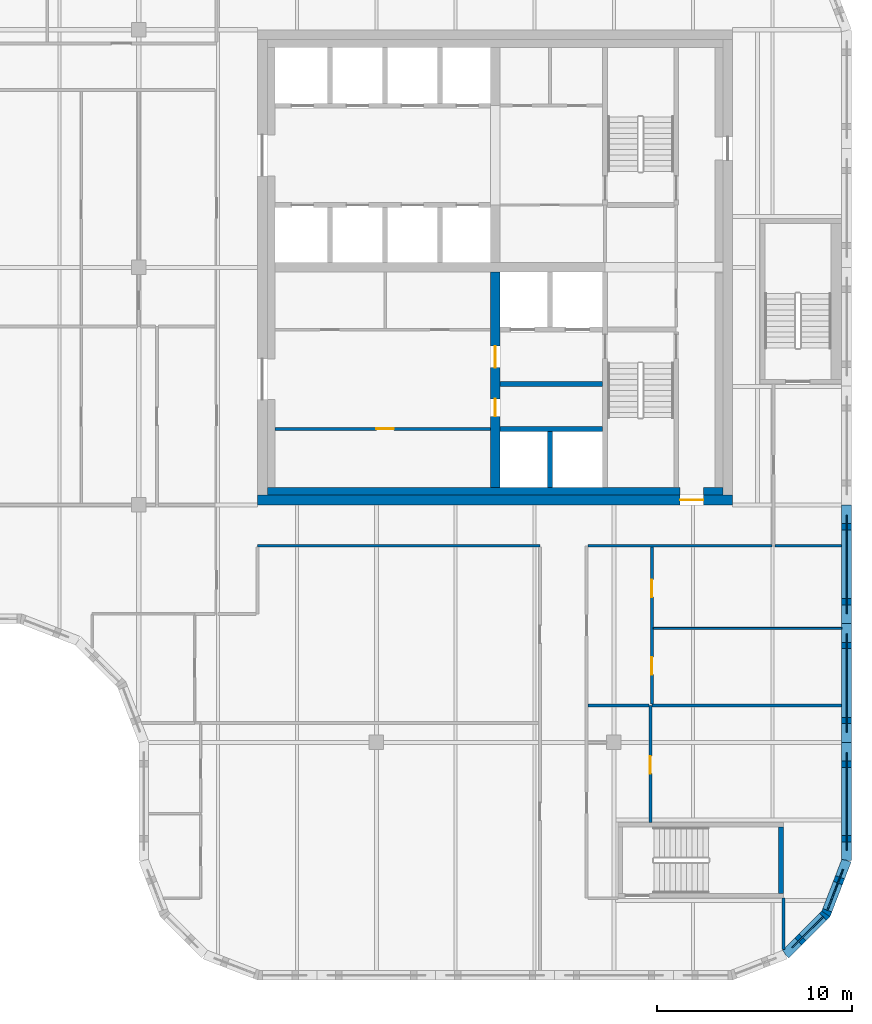
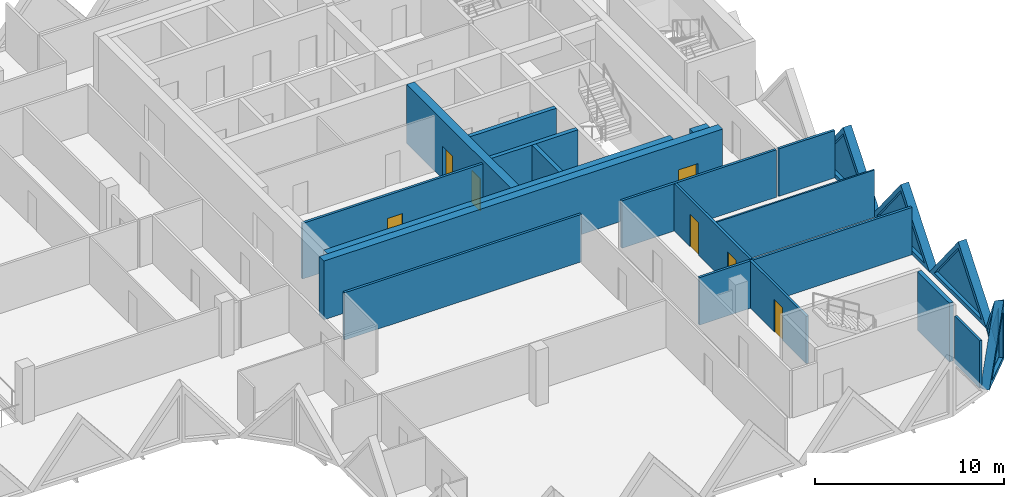
# One storey, part 5 of 11: 23 walls, 7 doors, 5 plates, 12 openings.
"""IFC4 building model written with IfcOpenShell, lengths in metres."""

from ifc_helpers import new_model, si_unit, direction, frame, frame_2d, origin, place, context, subcontext, project, spatial, polyline, rectangle, outline, extrude, faceted_brep, source, transform, mapped, material, layer, layer_set, type_object, element, fill, save


model = new_model("IFC4")

# Units and contexts
model_context = context("Model", 3, precision=1e-05, world=origin(), true_north=direction((0.0, 1.0)))
body_context = subcontext(model_context, "Body", "Model", "MODEL_VIEW")
ifc_project = project(units=[si_unit("LENGTHUNIT", "METRE"), si_unit("AREAUNIT", "SQUARE_METRE"), si_unit("VOLUMEUNIT", "CUBIC_METRE"), si_unit("PLANEANGLEUNIT", "RADIAN"), si_unit("MASSUNIT", "GRAM", prefix="KILO")], contexts=[model_context])

# Site, building, storey
site_placement = place(None, origin())
site = spatial("IfcSite", under=ifc_project, at=site_placement, CompositionType="ELEMENT")
building_placement = place(site_placement, origin())
building = spatial("IfcBuilding", under=site, at=building_placement, Name="Tessera Gate Towers", CompositionType="ELEMENT")
storey_placement = place(building_placement, frame((0.0, 0.0, 197.89990234375)))
storey = spatial("IfcBuildingStorey", under=building, at=storey_placement, Name="L49", CompositionType="ELEMENT", Elevation=197.89990234375)

# Walls
ifc_material_1 = material(Name="Concrete C40/50", Category="concrete")
ifc_layer_1 = layer(ifc_material_1, 0.25)
ifc_layer_set_1 = layer_set([ifc_layer_1], Name="CORE ENCLOSURE WALL 250")
wall_type_1 = type_object("IfcWallType", Name="CORE ENCLOSURE WALL 250", PredefinedType="SOLIDWALL", material=ifc_layer_set_1)
for number, where, z_axis, x_axis, name in (
    (1, (42.949951171875, 28.300048828125, 0.0), (0.0, 0.0, 1.0), (1.0, 0.0, 0.0), "L49 shaft and stair enclosure wall"),
    (2, (42.949951171875, 30.60009765625, 0.0), (0.0, 0.0, 1.0), (1.0, 0.0, 0.0), "L49 shaft and stair enclosure wall"),
):
    element("IfcWall", number, at=place(storey_placement, frame(where, z_axis=z_axis, x_axis=x_axis)), inside=storey, type_object=wall_type_1, Name=name, PredefinedType="SOLIDWALL", context=body_context, shape_type="SweptSolid", body=[
        extrude(rectangle(XDim=5.275146484375, YDim=0.25, at=frame_2d((2.6376953125, 0.0))), origin(), (0.0, 0.0, 1.0), 3.800048828125),
    ])
wall_1_placement = place(storey_placement, frame((45.52490234375, 25.300048828125, 0.0), z_axis=(0.0, 0.0, 1.0), x_axis=(0.0, 1.0, 0.0)))
element("IfcWall", 3, at=wall_1_placement, inside=storey, type_object=wall_type_1, Name="L49 shaft and stair enclosure wall", PredefinedType="SOLIDWALL", context=body_context, shape_type="SweptSolid", body=[
    extrude(rectangle(XDim=2.875, YDim=0.25, at=frame_2d((1.4375, 0.0))), origin(), (0.0, 0.0, 1.0), 3.800048828125),
])
wall_2_placement = place(storey_placement, frame((57.375, 7.85009765625, 0.0), z_axis=(0.0, 0.0, 1.0), x_axis=(0.0, -1.0, 0.0)))
element("IfcWall", 4, at=wall_2_placement, inside=storey, type_object=wall_type_1, Name="L49 ST4 enclosure wall", PredefinedType="SOLIDWALL", context=body_context, shape_type="SweptSolid", body=[
    extrude(rectangle(XDim=3.400146484375, YDim=0.25, at=frame_2d((1.7001953125, 0.0))), origin(), (0.0, 0.0, 1.0), 3.800048828125),
])

# Wall, opening, door
ifc_material_2 = material(Name="Concrete C50/60", Category="concrete")
ifc_layer_2 = layer(ifc_material_2, 0.5)
ifc_layer_set_2 = layer_set([ifc_layer_2], Name="CORE SHEAR WALL 500 C50/60")
wall_type_2 = type_object("IfcWallType", Name="CORE SHEAR WALL 500 C50/60", PredefinedType="SHEAR", material=ifc_layer_set_2)
wall_3_placement = place(storey_placement, frame((54.89990234375, 24.64990234375, 0.0), z_axis=(0.0, 0.0, 1.0), x_axis=(-1.0, 0.0, 0.0)))
wall_3 = element("IfcWall", 5, at=wall_3_placement, inside=storey, type_object=wall_type_2, Name="Core wall S L49", PredefinedType="SHEAR", context=body_context, shape_type="SweptSolid", body=[
    extrude(rectangle(XDim=24.39990234375, YDim=0.5, at=frame_2d((12.199951171875, 0.0))), origin(), (0.0, 0.0, 1.0), 3.800048828125),
])
shared_shape_1 = source(origin(), body_context, "Body", "SweptSolid", [
    extrude(rectangle(XDim=1.199951171875, YDim=2.10009765625, at=frame_2d((0.60009765625, 1.050048828125))), frame((0.0, 0.260009765625, 0.0), z_axis=(0.0, -1.0, 0.0), x_axis=(1.0, 0.0, 0.0)), (0.0, 0.0, 1.0), 0.52001953125),
])
opening_1_placement = place(wall_3_placement, frame((1.5, 0.0, 0.0)))
opening_1 = element("IfcOpeningElement", 6, at=opening_1_placement, cuts=wall_3, Name="Opening ED-T1-31-01", PredefinedType="OPENING", context=body_context, shape_type="MappedRepresentation", body=[
    mapped(shared_shape_1, transform((0.0, 0.0, 0.0), scale=1.0)),
])
ifc_material_3 = material(Name="Hollow steel fire door", Category="steel")
door_type_1 = type_object("IfcDoorType", Name="CORE DOOR ED 1200x2100", OperationType="NOTDEFINED", PredefinedType="DOOR", material=ifc_material_3)
shared_shape_2 = source(origin(), body_context, "Body", "SweptSolid", [
    extrude(rectangle(XDim=1.199951171875, YDim=2.10009765625, at=frame_2d((0.60009765625, 1.050048828125))), frame((0.0, 0.02490234375, 0.0), z_axis=(0.0, -1.0, 0.0), x_axis=(1.0, 0.0, 0.0)), (0.0, 0.0, 1.0), 0.050048828125),
])
door_1_placement = place(opening_1_placement, origin())
door_1 = element("IfcDoor", 7, at=door_1_placement, inside=storey, type_object=door_type_1, Name="Core exit door", OperationType="SINGLE_SWING_LEFT", OverallHeight=2.10009765625, OverallWidth=1.199951171875, PredefinedType="DOOR", context=body_context, shape_type="MappedRepresentation", body=[
    mapped(shared_shape_2, transform((0.0, 0.0, 0.0), scale=1.0)),
])
fill(opening_1, door_1)

# Wall, openings, doors
ifc_material_4 = material(Name="Concrete C50/60", Category="concrete")
ifc_layer_3 = layer(ifc_material_4, 0.5)
ifc_layer_set_3 = layer_set([ifc_layer_3], Name="CORE SPINE WALL 500 C50/60")
wall_type_3 = type_object("IfcWallType", Name="CORE SPINE WALL 500 C50/60", PredefinedType="SHEAR", material=ifc_layer_set_3)
wall_4_placement = place(storey_placement, frame((42.699951171875, 36.35009765625, 0.0), z_axis=(0.0, 0.0, 1.0), x_axis=(0.0, -1.0, 0.0)))
wall_4 = element("IfcWall", 8, at=wall_4_placement, inside=storey, type_object=wall_type_3, Name="Core wall spine L49", PredefinedType="SHEAR", context=body_context, shape_type="SweptSolid", body=[
    extrude(rectangle(XDim=11.050048828125, YDim=0.5, at=frame_2d((5.52490234375, 0.0))), origin(), (0.0, 0.0, 1.0), 3.800048828125),
])
shared_shape_3 = source(origin(), body_context, "Body", "SweptSolid", [
    extrude(rectangle(XDim=0.89990234375, YDim=2.10009765625, at=frame_2d((0.449951171875, 1.050048828125))), frame((0.0, 0.260009765625, 0.0), z_axis=(0.0, -1.0, 0.0), x_axis=(1.0, 0.0, 0.0)), (0.0, 0.0, 1.0), 0.52001953125),
])
opening_2_placement = place(wall_4_placement, frame((6.5, 0.0, 0.0)))
opening_2 = element("IfcOpeningElement", 9, at=opening_2_placement, cuts=wall_4, Name="Opening RD-T1-31-05", PredefinedType="OPENING", context=body_context, shape_type="MappedRepresentation", body=[
    mapped(shared_shape_3, transform((0.0, 0.0, 0.0), scale=1.0)),
])
shared_shape_4 = source(origin(), body_context, "Body", "SweptSolid", [
    extrude(rectangle(XDim=1.10009765625, YDim=2.10009765625, at=frame_2d((0.550048828125, 1.050048828125))), frame((0.0, 0.260009765625, 0.0), z_axis=(0.0, -1.0, 0.0), x_axis=(1.0, 0.0, 0.0)), (0.0, 0.0, 1.0), 0.52001953125),
])
opening_3_placement = place(wall_4_placement, frame((3.800048828125, 0.0, 0.0)))
opening_3 = element("IfcOpeningElement", 10, at=opening_3_placement, cuts=wall_4, Name="Opening FD-T1-31-06", PredefinedType="OPENING", context=body_context, shape_type="MappedRepresentation", body=[
    mapped(shared_shape_4, transform((0.0, 0.0, 0.0), scale=1.0)),
])
ifc_material_5 = material(Name="Hollow steel fire door", Category="steel")
door_type_2 = type_object("IfcDoorType", Name="CORE DOOR RD 900x2100", OperationType="NOTDEFINED", PredefinedType="DOOR", material=ifc_material_5)
shared_shape_5 = source(origin(), body_context, "Body", "SweptSolid", [
    extrude(rectangle(XDim=0.89990234375, YDim=2.10009765625, at=frame_2d((0.449951171875, 1.050048828125))), frame((0.0, 0.02490234375, 0.0), z_axis=(0.0, -1.0, 0.0), x_axis=(1.0, 0.0, 0.0)), (0.0, 0.0, 1.0), 0.050048828125),
])
door_2_placement = place(opening_2_placement, origin())
door_2 = element("IfcDoor", 11, at=door_2_placement, inside=storey, type_object=door_type_2, Name="Core room door", OperationType="SINGLE_SWING_RIGHT", OverallHeight=2.10009765625, OverallWidth=0.89990234375, PredefinedType="DOOR", context=body_context, shape_type="MappedRepresentation", body=[
    mapped(shared_shape_5, transform((0.0, 0.0, 0.0), scale=1.0)),
])
fill(opening_2, door_2)
ifc_material_6 = material(Name="Hollow steel fire door", Category="steel")
door_type_3 = type_object("IfcDoorType", Name="CORE DOOR FD 1100x2100", OperationType="NOTDEFINED", PredefinedType="DOOR", material=ifc_material_6)
shared_shape_6 = source(origin(), body_context, "Body", "SweptSolid", [
    extrude(rectangle(XDim=1.10009765625, YDim=2.10009765625, at=frame_2d((0.550048828125, 1.050048828125))), frame((0.0, 0.02490234375, 0.0), z_axis=(0.0, -1.0, 0.0), x_axis=(1.0, 0.0, 0.0)), (0.0, 0.0, 1.0), 0.050048828125),
])
door_3_placement = place(opening_3_placement, origin())
door_3 = element("IfcDoor", 12, at=door_3_placement, inside=storey, type_object=door_type_3, Name="Fire-fighting lobby door", OperationType="SINGLE_SWING_LEFT", OverallHeight=2.10009765625, OverallWidth=1.10009765625, PredefinedType="DOOR", context=body_context, shape_type="MappedRepresentation", body=[
    mapped(shared_shape_6, transform((0.0, 0.0, 0.0), scale=1.0)),
])
fill(opening_3, door_3)

# Walls
ifc_material_7 = material(Name="Concrete C50/60", Category="concrete")
ifc_layer_4 = layer(ifc_material_7, 0.39990234375)
ifc_layer_set_4 = layer_set([ifc_layer_4], Name="CORE WALL THICKENING 400")
wall_type_4 = type_object("IfcWallType", Name="CORE WALL THICKENING 400", PredefinedType="SOLIDWALL", material=ifc_layer_set_4)
wall_5_placement = place(storey_placement, frame((31.0, 25.10009765625, 0.0), z_axis=(0.0, 0.0, 1.0), x_axis=(1.0, 0.0, 0.0)))
element("IfcWall", 13, at=wall_5_placement, inside=storey, type_object=wall_type_4, Name="Core wall thickening S L49", PredefinedType="SOLIDWALL", context=body_context, shape_type="SweptSolid", body=[
    extrude(rectangle(XDim=21.199951171875, YDim=0.39990234375, at=frame_2d((10.60009765625, 0.0))), origin(), (0.0, 0.0, 1.0), 3.800048828125),
])
wall_6_placement = place(storey_placement, frame((53.39990234375, 25.10009765625, 0.0), z_axis=(0.0, 0.0, 1.0), x_axis=(1.0, 0.0, 0.0)))
element("IfcWall", 14, at=wall_6_placement, inside=storey, type_object=wall_type_4, Name="Core wall thickening S L49", PredefinedType="SOLIDWALL", context=body_context, shape_type="SweptSolid", body=[
    extrude(rectangle(XDim=1.0, YDim=0.39990234375, at=frame_2d((0.5, 0.0))), origin(), (0.0, 0.0, 1.0), 3.800048828125),
])
ifc_material_8 = material(Name="Gypsum board on steel studs, mineral wool", Category="steel")
ifc_layer_5 = layer(ifc_material_8, 0.14990234375)
ifc_layer_set_5 = layer_set([ifc_layer_5], Name="CORRIDOR WALL 150")
wall_type_5 = type_object("IfcWallType", Name="CORRIDOR WALL 150", PredefinedType="PARTITIONING", material=ifc_layer_set_5)
wall_7_placement = place(storey_placement, frame((57.5, 1.55908203125, 0.0), z_axis=(0.0, 0.0, 1.0), x_axis=(0.0, 1.0, 0.0)))
element("IfcWall", 15, at=wall_7_placement, inside=storey, type_object=wall_type_5, Name="T1-L49-PW-002", PredefinedType="PARTITIONING", context=body_context, shape_type="SweptSolid", body=[
    extrude(rectangle(XDim=2.640869140625, YDim=0.14990234375, at=frame_2d((1.3203125, 0.0))), origin(), (0.0, 0.0, 1.0), 3.067138671875),
])
wall_8_placement = place(storey_placement, frame((30.5, 22.300048828125, 0.0), z_axis=(0.0, 0.0, 1.0), x_axis=(1.0, 0.0, 0.0)))
element("IfcWall", 16, at=wall_8_placement, inside=storey, type_object=wall_type_5, Name="T1-L49-PW-026", PredefinedType="PARTITIONING", context=body_context, shape_type="SweptSolid", body=[
    extrude(rectangle(XDim=14.5, YDim=0.14990234375, at=frame_2d((7.25, 0.0))), origin(), (0.0, 0.0, 1.0), 3.067138671875),
])
wall_9_placement = place(storey_placement, frame((47.47607421875, 22.300048828125, 0.0), z_axis=(0.0, 0.0, 1.0), x_axis=(1.0, 0.0, 0.0)))
element("IfcWall", 17, at=wall_9_placement, inside=storey, type_object=wall_type_5, Name="T1-L49-PW-027", PredefinedType="PARTITIONING", context=body_context, shape_type="SweptSolid", body=[
    extrude(rectangle(XDim=9.447998046875, YDim=0.14990234375, at=frame_2d((4.72412109375, 0.0))), origin(), (0.0, 0.0, 1.0), 3.067138671875),
])
ifc_material_9 = material(Name="Gypsum board on steel studs", Category="steel")
ifc_layer_6 = layer(ifc_material_9, 0.10009765625)
ifc_layer_set_6 = layer_set([ifc_layer_6], Name="PARTITION 100")
wall_type_6 = type_object("IfcWallType", Name="PARTITION 100", PredefinedType="PARTITIONING", material=ifc_layer_set_6)
wall_10_placement = place(storey_placement, frame((50.825927734375, 18.06103515625, 0.0), z_axis=(0.0, 0.0, 1.0), x_axis=(1.0, 0.0, 0.0)))
element("IfcWall", 18, at=wall_10_placement, inside=storey, type_object=wall_type_6, Name="T1-L49-PW-019", PredefinedType="PARTITIONING", context=body_context, shape_type="SweptSolid", body=[
    extrude(rectangle(XDim=9.674072265625, YDim=0.10009765625, at=frame_2d((4.8369140625, 0.0))), origin(), (0.0, 0.0, 1.0), 3.067138671875),
])

# Wall, opening, door
ifc_material_10 = material(Name="Gypsum board on steel studs", Category="steel")
ifc_layer_7 = layer(ifc_material_10, 0.14990234375)
ifc_layer_set_7 = layer_set([ifc_layer_7], Name="SERVICE ROOM WALL 150")
wall_type_7 = type_object("IfcWallType", Name="SERVICE ROOM WALL 150", PredefinedType="PARTITIONING", material=ifc_layer_set_7)
wall_11_placement = place(storey_placement, frame((42.449951171875, 28.300048828125, 0.0), z_axis=(0.0, 0.0, 1.0), x_axis=(-1.0, 0.0, 0.0)))
wall_11 = element("IfcWall", 19, at=wall_11_placement, inside=storey, type_object=wall_type_7, Name="L49 service room wall", PredefinedType="PARTITIONING", context=body_context, shape_type="SweptSolid", body=[
    extrude(rectangle(XDim=11.050048828125, YDim=0.14990234375, at=frame_2d((5.52490234375, 0.0))), origin(), (0.0, 0.0, 1.0), 3.60009765625),
])
shared_shape_7 = source(origin(), body_context, "Body", "SweptSolid", [
    extrude(rectangle(XDim=0.89990234375, YDim=2.10009765625, at=frame_2d((0.449951171875, 1.050048828125))), frame((0.0, 0.0849609375, 0.0), z_axis=(0.0, -1.0, 0.0), x_axis=(1.0, 0.0, 0.0)), (0.0, 0.0, 1.0), 0.169921875),
])
opening_4_placement = place(wall_11_placement, frame((4.949951171875, 0.0, 0.0)))
opening_4 = element("IfcOpeningElement", 20, at=opening_4_placement, cuts=wall_11, Name="Opening RD-T1-31-07", PredefinedType="OPENING", context=body_context, shape_type="MappedRepresentation", body=[
    mapped(shared_shape_7, transform((0.0, 0.0, 0.0), scale=1.0)),
])
door_4_placement = place(opening_4_placement, origin())
door_4 = element("IfcDoor", 21, at=door_4_placement, inside=storey, type_object=door_type_2, Name="Core room door", OperationType="SINGLE_SWING_LEFT", OverallHeight=2.10009765625, OverallWidth=0.89990234375, PredefinedType="DOOR", context=body_context, shape_type="MappedRepresentation", body=[
    mapped(shared_shape_5, transform((0.0, 0.0, 0.0), scale=1.0)),
])
fill(opening_4, door_4)

ifc_material_11 = material(Name="Gypsum board on steel studs, mineral wool", Category="steel")
ifc_layer_8 = layer(ifc_material_11, 0.14990234375)
ifc_layer_set_8 = layer_set([ifc_layer_8], Name="TENANCY WALL 150")
wall_type_8 = type_object("IfcWallType", Name="TENANCY WALL 150", PredefinedType="PARTITIONING", material=ifc_layer_set_8)
wall_12_placement = place(storey_placement, frame((50.675048828125, 14.10009765625, 0.0), z_axis=(0.0, 0.0, 1.0), x_axis=(0.0, -1.0, 0.0)))
wall_12 = element("IfcWall", 22, at=wall_12_placement, inside=storey, type_object=wall_type_8, Name="T1-L49-PW-007", PredefinedType="PARTITIONING", context=body_context, shape_type="SweptSolid", body=[
    extrude(rectangle(XDim=6.0, YDim=0.14990234375, at=frame_2d((3.0, 0.0))), origin(), (0.0, 0.0, 1.0), 3.067138671875),
])
opening_5_placement = place(wall_12_placement, frame((2.60009765625, 0.0, 0.0)))
opening_5 = element("IfcOpeningElement", 23, at=opening_5_placement, cuts=wall_12, Name="Opening D190-A18-04", PredefinedType="OPENING", context=body_context, shape_type="MappedRepresentation", body=[
    mapped(shared_shape_7, transform((0.0, 0.0, 0.0), scale=1.0)),
])
ifc_material_12 = material(Name="Timber door leaf in steel frame", Category="steel")
door_type_4 = type_object("IfcDoorType", Name="INTERNAL DOOR 900 NOT RATED", OperationType="NOTDEFINED", PredefinedType="DOOR", material=ifc_material_12)
door_5_placement = place(opening_5_placement, origin())
door_5 = element("IfcDoor", 24, at=door_5_placement, inside=storey, type_object=door_type_4, Name="T1-L49-PD-009", OperationType="SINGLE_SWING_RIGHT", OverallHeight=2.10009765625, OverallWidth=0.89990234375, PredefinedType="DOOR", context=body_context, shape_type="MappedRepresentation", body=[
    mapped(shared_shape_5, transform((0.0, 0.0, 0.0), scale=1.0)),
])
fill(opening_5, door_5)

# Walls
wall_13_placement = place(storey_placement, frame((47.47607421875, 14.10009765625, 0.0), z_axis=(0.0, 0.0, 1.0), x_axis=(1.0, 0.0, 0.0)))
element("IfcWall", 25, at=wall_13_placement, inside=storey, type_object=wall_type_8, Name="T1-L49-PW-015", PredefinedType="PARTITIONING", context=body_context, shape_type="SweptSolid", body=[
    extrude(rectangle(XDim=3.123046875, YDim=0.14990234375, at=frame_2d((1.5615234375, 0.0))), origin(), (0.0, 0.0, 1.0), 3.067138671875),
])
wall_14_placement = place(storey_placement, frame((50.75, 14.10009765625, 0.0), z_axis=(0.0, 0.0, 1.0), x_axis=(1.0, 0.0, 0.0)))
element("IfcWall", 26, at=wall_14_placement, inside=storey, type_object=wall_type_8, Name="T1-L49-PW-016", PredefinedType="PARTITIONING", context=body_context, shape_type="SweptSolid", body=[
    extrude(rectangle(XDim=9.75, YDim=0.14990234375, at=frame_2d((4.875, 0.0))), origin(), (0.0, 0.0, 1.0), 3.067138671875),
])

# Wall, openings, doors
wall_15_placement = place(storey_placement, frame((50.75, 22.22412109375, 0.0), z_axis=(0.0, 0.0, 1.0), x_axis=(0.0, -1.0, 0.0)))
wall_15 = element("IfcWall", 27, at=wall_15_placement, inside=storey, type_object=wall_type_8, Name="T1-L49-PW-017", PredefinedType="PARTITIONING", context=body_context, shape_type="SweptSolid", body=[
    extrude(rectangle(XDim=8.048095703125, YDim=0.14990234375, at=frame_2d((4.02392578125, 0.0))), origin(), (0.0, 0.0, 1.0), 3.067138671875),
])
opening_6_placement = place(wall_15_placement, frame((5.64794921875, 0.0, 0.0)))
opening_6 = element("IfcOpeningElement", 28, at=opening_6_placement, cuts=wall_15, Name="Opening D190-A18-01", PredefinedType="OPENING", context=body_context, shape_type="MappedRepresentation", body=[
    mapped(shared_shape_7, transform((0.0, 0.0, 0.0), scale=1.0)),
])
opening_7_placement = place(wall_15_placement, frame((1.66259765625, 0.0, 0.0)))
opening_7 = element("IfcOpeningElement", 29, at=opening_7_placement, cuts=wall_15, Name="Opening D190-A18-02", PredefinedType="OPENING", context=body_context, shape_type="MappedRepresentation", body=[
    mapped(shared_shape_7, transform((0.0, 0.0, 0.0), scale=1.0)),
])
door_6_placement = place(opening_6_placement, origin())
door_6 = element("IfcDoor", 30, at=door_6_placement, inside=storey, type_object=door_type_4, Name="T1-L49-PD-002", OperationType="SINGLE_SWING_RIGHT", OverallHeight=2.10009765625, OverallWidth=0.89990234375, PredefinedType="DOOR", context=body_context, shape_type="MappedRepresentation", body=[
    mapped(shared_shape_5, transform((0.0, 0.0, 0.0), scale=1.0)),
])
fill(opening_6, door_6)
door_7_placement = place(opening_7_placement, origin())
door_7 = element("IfcDoor", 31, at=door_7_placement, inside=storey, type_object=door_type_4, Name="T1-L49-PD-003", OperationType="SINGLE_SWING_RIGHT", OverallHeight=2.10009765625, OverallWidth=0.89990234375, PredefinedType="DOOR", context=body_context, shape_type="MappedRepresentation", body=[
    mapped(shared_shape_5, transform((0.0, 0.0, 0.0), scale=1.0)),
])
fill(opening_7, door_7)

# Wall
wall_16_placement = place(storey_placement, frame((57.075927734375, 22.300048828125, 0.0), z_axis=(0.0, 0.0, 1.0), x_axis=(1.0, 0.0, 0.0)))
element("IfcWall", 32, at=wall_16_placement, inside=storey, type_object=wall_type_8, Name="T1-L49-PW-029", PredefinedType="PARTITIONING", context=body_context, shape_type="SweptSolid", body=[
    extrude(rectangle(XDim=3.424072265625, YDim=0.14990234375, at=frame_2d((1.7119140625, 0.0))), origin(), (0.0, 0.0, 1.0), 3.067138671875),
])

# Wall, opening, plate
ifc_material_13 = material(Name="Precast concrete C60/75 white", Category="concrete")
ifc_layer_9 = layer(ifc_material_13, 0.5)
ifc_layer_set_9 = layer_set([ifc_layer_9], Name="TS2 half tessera")
wall_type_9 = type_object("IfcWallType", Name="TS2 half tessera", PredefinedType="SOLIDWALL", material=ifc_layer_set_9)
shared_shape_8 = source(origin(), body_context, "Body", "Brep", [
    faceted_brep([(6.099853515625, -0.25, 0.000244140625), (3.050048828125, -0.25, 3.800048828125), (0.0, -0.25, 0.0), (6.099853515625, -0.25, 0.0), (0.0, 0.25, 0.0), (3.050048828125, 0.25, 3.800048828125), (6.099853515625, 0.25, 0.000244140625), (6.099853515625, 0.25, 0.0)], [[[0, 1, 2, 3]], [[4, 5, 6, 7]], [[6, 5, 1, 0]], [[5, 4, 2, 1]], [[4, 7, 3, 2]], [[3, 7, 6, 0]]]),
])
wall_17_placement = place(storey_placement, frame((60.75, 18.300048828125, 0.0), z_axis=(0.0, 0.0, 1.0), x_axis=(0.0, 1.0, 0.0)))
wall_17 = element("IfcWall", 33, at=wall_17_placement, inside=storey, type_object=wall_type_9, Name="Precast half tessera T1 TS2-0235", PredefinedType="SOLIDWALL", context=body_context, shape_type="MappedRepresentation", body=[
    mapped(shared_shape_8, transform((0.0, 0.0, 0.0), scale=1.0)),
])
shared_shape_9 = source(origin(), body_context, "Body", "SweptSolid", [
    extrude(outline(polyline([(5.578857421875, 0.25), (3.050048828125, 3.400634765625), (0.521240234375, 0.25), (5.578857421875, 0.25)])), frame((0.0, 0.260009765625, 0.0), z_axis=(0.0, -1.0, 0.0), x_axis=(1.0, 0.0, 0.0)), (0.0, 0.0, 1.0), 0.52001953125),
])
opening_8_placement = place(wall_17_placement, origin())
opening_8 = element("IfcOpeningElement", 34, at=opening_8_placement, cuts=wall_17, Name="Opening T1-PL1-0481", PredefinedType="OPENING", context=body_context, shape_type="MappedRepresentation", body=[
    mapped(shared_shape_9, transform((0.0, 0.0, 0.0), scale=1.0)),
])
ifc_material_14 = material(Name="Low-e laminated glass", Category="glass")
ifc_layer_10 = layer(ifc_material_14, 0.06005859375)
ifc_layer_set_10 = layer_set([ifc_layer_10], Name="PL1 triangular pane")
plate_type = type_object("IfcPlateType", Name="PL1 triangular pane", PredefinedType="SHEET", material=ifc_layer_set_10)
shared_shape_10 = source(origin(), body_context, "Body", "SweptSolid", [
    extrude(outline(polyline([(5.578857421875, 0.25), (3.050048828125, 3.400634765625), (0.521240234375, 0.25), (5.578857421875, 0.25)])), frame((0.0, 0.030029296875, 0.0), z_axis=(0.0, -1.0, 0.0), x_axis=(1.0, 0.0, 0.0)), (0.0, 0.0, 1.0), 0.06005859375),
])
plate_1_placement = place(opening_8_placement, origin())
plate_1 = element("IfcPlate", 35, at=plate_1_placement, inside=storey, type_object=plate_type, Name="Glass pane T1 PL1-0481", PredefinedType="SHEET", context=body_context, shape_type="MappedRepresentation", body=[
    mapped(shared_shape_10, transform((0.0, 0.0, 0.0), scale=1.0)),
])
fill(opening_8, plate_1)

shared_shape_11 = source(origin(), body_context, "Body", "SweptSolid", [
    extrude(outline(polyline([(6.10009765625, 0.0), (3.050048828125, 3.800048828125), (0.0, 0.0), (6.10009765625, 0.0)])), frame((0.0, 0.25, 0.0), z_axis=(0.0, -1.0, 0.0), x_axis=(1.0, 0.0, 0.0)), (0.0, 0.0, 1.0), 0.5),
])
wall_18_placement = place(storey_placement, frame((60.75, 12.199951171875, 0.0), z_axis=(0.0, 0.0, 1.0), x_axis=(0.0, 1.0, 0.0)))
wall_18 = element("IfcWall", 36, at=wall_18_placement, inside=storey, type_object=wall_type_9, Name="Precast half tessera T1 TS2-0234", PredefinedType="SOLIDWALL", context=body_context, shape_type="MappedRepresentation", body=[
    mapped(shared_shape_11, transform((0.0, 0.0, 0.0), scale=1.0)),
])
opening_9_placement = place(wall_18_placement, origin())
opening_9 = element("IfcOpeningElement", 37, at=opening_9_placement, cuts=wall_18, Name="Opening T1-PL1-0480", PredefinedType="OPENING", context=body_context, shape_type="MappedRepresentation", body=[
    mapped(shared_shape_9, transform((0.0, 0.0, 0.0), scale=1.0)),
])
plate_2_placement = place(opening_9_placement, origin())
plate_2 = element("IfcPlate", 38, at=plate_2_placement, inside=storey, type_object=plate_type, Name="Glass pane T1 PL1-0480", PredefinedType="SHEET", context=body_context, shape_type="MappedRepresentation", body=[
    mapped(shared_shape_10, transform((0.0, 0.0, 0.0), scale=1.0)),
])
fill(opening_9, plate_2)

ifc_material_15 = material(Name="Precast concrete C60/75 white", Category="concrete")
ifc_layer_11 = layer(ifc_material_15, 0.5)
ifc_layer_set_11 = layer_set([ifc_layer_11], Name="TS3 corner tessera")
wall_type_10 = type_object("IfcWallType", Name="TS3 corner tessera", PredefinedType="SOLIDWALL", material=ifc_layer_set_11)
shared_shape_12 = source(origin(), body_context, "Body", "Brep", [
    faceted_brep([(2.9970703125, -0.25, 3.73193359375), (2.944091796875, -0.25, 3.800048828125), (0.0, -0.25, 0.0), (2.9970703125, -0.25, 0.0), (0.052978515625, 0.25, 0.068359375), (2.89111328125, 0.25, 3.73193359375), (2.89111328125, 0.25, 0.0), (0.052978515625, 0.25, 0.0), (2.944091796875, 0.000244140625, 3.800048828125), (0.0, 0.0, 0.0)], [[[0, 1, 2, 3]], [[4, 5, 6, 7]], [[8, 1, 0]], [[5, 4, 9, 2, 1, 8]], [[7, 6, 3, 2, 9]], [[7, 9, 4]], [[3, 6, 5, 8, 0]]]),
])
wall_19_placement = place(storey_placement, frame((57.606201171875, 1.31201171875, 0.0), z_axis=(0.0, 0.0, 1.0), x_axis=(0.707147509625, 0.707066050402, 0.0)))
wall_19 = element("IfcWall", 39, at=wall_19_placement, inside=storey, type_object=wall_type_10, Name="Precast corner tessera T1 TS3-1133", PredefinedType="SOLIDWALL", context=body_context, shape_type="MappedRepresentation", body=[
    mapped(shared_shape_12, transform((0.0, 0.0, 0.0), scale=1.0)),
])
shared_shape_13 = source(origin(), body_context, "Body", "SweptSolid", [
    extrude(outline(polyline([(2.744140625, 3.1337890625), (0.510009765625, 0.25), (2.744140625, 0.25), (2.744140625, 3.1337890625)])), frame((0.0, 0.260009765625, 0.0), z_axis=(0.0, -1.0, 0.0), x_axis=(1.0, 0.0, 0.0)), (0.0, 0.0, 1.0), 0.52001953125),
])
opening_10_placement = place(wall_19_placement, origin())
opening_10 = element("IfcOpeningElement", 40, at=opening_10_placement, cuts=wall_19, Name="Opening T1-PL1-0477", PredefinedType="OPENING", context=body_context, shape_type="MappedRepresentation", body=[
    mapped(shared_shape_13, transform((0.0, 0.0, 0.0), scale=1.0)),
])
shared_shape_14 = source(origin(), body_context, "Body", "SweptSolid", [
    extrude(outline(polyline([(2.744140625, 3.1337890625), (0.510009765625, 0.25), (2.744140625, 0.25), (2.744140625, 3.1337890625)])), frame((0.0, 0.030029296875, 0.0), z_axis=(0.0, -1.0, 0.0), x_axis=(1.0, 0.0, 0.0)), (0.0, 0.0, 1.0), 0.06005859375),
])
plate_3_placement = place(opening_10_placement, origin())
plate_3 = element("IfcPlate", 41, at=plate_3_placement, inside=storey, type_object=plate_type, Name="Glass pane T1 PL1-0477", PredefinedType="SHEET", context=body_context, shape_type="MappedRepresentation", body=[
    mapped(shared_shape_14, transform((0.0, 0.0, 0.0), scale=1.0)),
])
fill(opening_10, plate_3)

shared_shape_15 = source(origin(), body_context, "Body", "Brep", [
    faceted_brep([(3.00341796875, -0.25, 0.0), (0.052978515625, -0.25, 3.800048828125), (0.0, -0.25, 3.731689453125), (0.0, -0.25, 0.0), (0.10595703125, 0.25, 3.73193359375), (2.95703125, 0.25, 0.059814453125), (2.95703125, 0.25, 0.0), (0.10595703125, 0.25, 0.0), (0.052978515625, 0.0, 3.800048828125), (3.00341796875, 0.00048828125, 0.0)], [[[0, 1, 2, 3]], [[4, 5, 6, 7]], [[5, 4, 8, 1, 0, 9]], [[2, 1, 8]], [[7, 6, 9, 0, 3]], [[7, 3, 2, 8, 4]], [[9, 6, 5]]]),
])
wall_20_placement = place(storey_placement, frame((59.6689453125, 3.34423828125, 0.0), z_axis=(0.0, 0.0, 1.0), x_axis=(0.35992665181, 0.932980602862, 0.0)))
wall_20 = element("IfcWall", 42, at=wall_20_placement, inside=storey, type_object=wall_type_10, Name="Precast corner tessera T1 TS3-1134", PredefinedType="SOLIDWALL", context=body_context, shape_type="MappedRepresentation", body=[
    mapped(shared_shape_15, transform((0.0, 0.0, 0.0), scale=1.0)),
])
shared_shape_16 = source(origin(), body_context, "Body", "SweptSolid", [
    extrude(outline(polyline([(2.492919921875, 0.25), (0.2529296875, 3.134765625), (0.2529296875, 0.25), (2.492919921875, 0.25)])), frame((0.0, 0.260009765625, 0.0), z_axis=(0.0, -1.0, 0.0), x_axis=(1.0, 0.0, 0.0)), (0.0, 0.0, 1.0), 0.52001953125),
])
opening_11_placement = place(wall_20_placement, origin())
opening_11 = element("IfcOpeningElement", 43, at=opening_11_placement, cuts=wall_20, Name="Opening T1-PL1-0478", PredefinedType="OPENING", context=body_context, shape_type="MappedRepresentation", body=[
    mapped(shared_shape_16, transform((0.0, 0.0, 0.0), scale=1.0)),
])
shared_shape_17 = source(origin(), body_context, "Body", "SweptSolid", [
    extrude(outline(polyline([(2.492919921875, 0.25), (0.2529296875, 3.134765625), (0.2529296875, 0.25), (2.492919921875, 0.25)])), frame((0.0, 0.030029296875, 0.0), z_axis=(0.0, -1.0, 0.0), x_axis=(1.0, 0.0, 0.0)), (0.0, 0.0, 1.0), 0.06005859375),
])
plate_4_placement = place(opening_11_placement, origin())
plate_4 = element("IfcPlate", 44, at=plate_4_placement, inside=storey, type_object=plate_type, Name="Glass pane T1 PL1-0478", PredefinedType="SHEET", context=body_context, shape_type="MappedRepresentation", body=[
    mapped(shared_shape_17, transform((0.0, 0.0, 0.0), scale=1.0)),
])
fill(opening_11, plate_4)

shared_shape_18 = source(origin(), body_context, "Body", "Brep", [
    faceted_brep([(6.053466796875, -0.25, 0.0), (3.00341796875, -0.25, 3.800048828125), (0.0, -0.25, 0.0), (0.046630859375, 0.25, 0.058837890625), (3.00341796875, 0.25, 3.800048828125), (6.053466796875, 0.25, 0.0), (0.046630859375, 0.25, 0.0), (0.0, 0.0, 0.0)], [[[0, 1, 2]], [[3, 4, 5, 6]], [[5, 4, 1, 0]], [[4, 3, 7, 2, 1]], [[6, 5, 0, 2, 7]], [[6, 7, 3]]]),
])
wall_21_placement = place(storey_placement, frame((60.75, 6.146484375, 0.0), z_axis=(0.0, 0.0, 1.0), x_axis=(0.0, 1.0, 0.0)))
wall_21 = element("IfcWall", 45, at=wall_21_placement, inside=storey, type_object=wall_type_9, Name="Precast half tessera T1 TS2-0233", PredefinedType="SOLIDWALL", context=body_context, shape_type="MappedRepresentation", body=[
    mapped(shared_shape_18, transform((0.0, 0.0, 0.0), scale=1.0)),
])
shared_shape_19 = source(origin(), body_context, "Body", "SweptSolid", [
    extrude(outline(polyline([(5.5322265625, 0.25), (3.0048828125, 3.39892578125), (0.516357421875, 0.25), (5.5322265625, 0.25)])), frame((0.0, 0.260009765625, 0.0), z_axis=(0.0, -1.0, 0.0), x_axis=(1.0, 0.0, 0.0)), (0.0, 0.0, 1.0), 0.52001953125),
])
opening_12_placement = place(wall_21_placement, origin())
opening_12 = element("IfcOpeningElement", 46, at=opening_12_placement, cuts=wall_21, Name="Opening T1-PL1-0479", PredefinedType="OPENING", context=body_context, shape_type="MappedRepresentation", body=[
    mapped(shared_shape_19, transform((0.0, 0.0, 0.0), scale=1.0)),
])
shared_shape_20 = source(origin(), body_context, "Body", "SweptSolid", [
    extrude(outline(polyline([(5.5322265625, 0.25), (3.0048828125, 3.39892578125), (0.516357421875, 0.25), (5.5322265625, 0.25)])), frame((0.0, 0.030029296875, 0.0), z_axis=(0.0, -1.0, 0.0), x_axis=(1.0, 0.0, 0.0)), (0.0, 0.0, 1.0), 0.06005859375),
])
plate_5_placement = place(opening_12_placement, origin())
plate_5 = element("IfcPlate", 47, at=plate_5_placement, inside=storey, type_object=plate_type, Name="Glass pane T1 PL1-0479", PredefinedType="SHEET", context=body_context, shape_type="MappedRepresentation", body=[
    mapped(shared_shape_20, transform((0.0, 0.0, 0.0), scale=1.0)),
])
fill(opening_12, plate_5)

save(model, "model.ifc")
